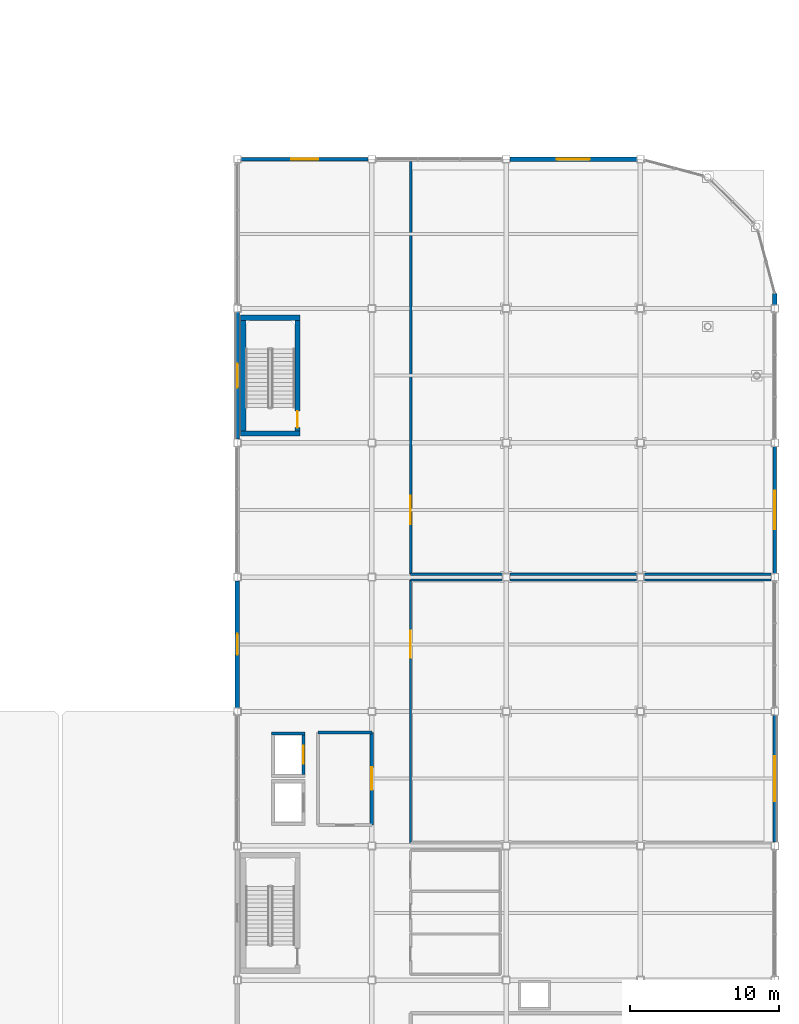
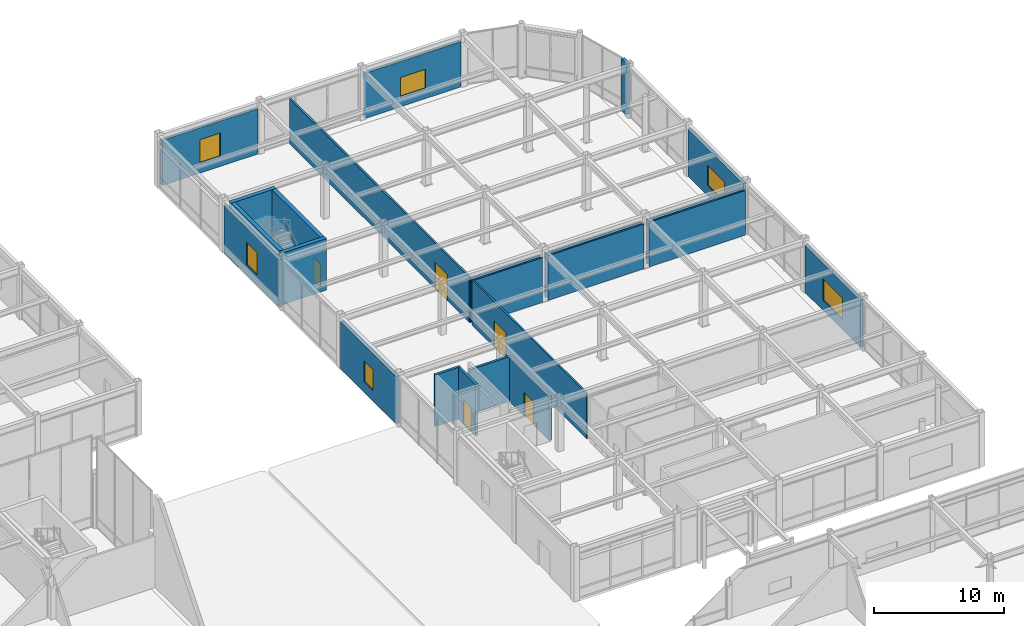
# One storey, part 93 of 123: 23 walls, 6 windows, 5 doors, 11 openings.
"""IFC4 building model written with IfcOpenShell, lengths in metres."""

from ifc_helpers import new_model, si_unit, direction, frame, frame_2d, origin, place, context, subcontext, project, spatial, rectangle, extrude, material, layer, layer_set, type_object, element, fill, save


model = new_model("IFC4")

# Units and contexts
model_context = context("Model", 3, precision=1e-05, world=origin(), true_north=direction((0.0, 1.0)))
body_context = subcontext(model_context, "Body", "Model", "MODEL_VIEW")
ifc_project = project(units=[si_unit("LENGTHUNIT", "METRE"), si_unit("AREAUNIT", "SQUARE_METRE"), si_unit("VOLUMEUNIT", "CUBIC_METRE"), si_unit("PLANEANGLEUNIT", "RADIAN"), si_unit("MASSUNIT", "GRAM", prefix="KILO")], contexts=[model_context])

# Site, building, storey
site_placement = place(None, origin())
site = spatial("IfcSite", under=ifc_project, at=site_placement, CompositionType="ELEMENT")
building_placement = place(site_placement, origin())
building = spatial("IfcBuilding", under=site, at=building_placement, Name="Suzunagisa Mobility Hub", CompositionType="ELEMENT")
storey_placement = place(building_placement, origin())
storey = spatial("IfcBuildingStorey", under=building, at=storey_placement, Name="L00", CompositionType="ELEMENT", Elevation=0.0)

# Wall, opening, window
ifc_material_1 = material(Name="Porcelain-Faced Insulated Concrete C30/37 Wall", Category="concrete")
ifc_layer_1 = layer(ifc_material_1, 0.260009765625)
ifc_layer_set_1 = layer_set([ifc_layer_1], Name="Porcelain-Faced Insulated Concrete C30/37 Wall")
wall_type_1 = type_object("IfcWallType", Name="Exterior Wall EW-03 260mm", PredefinedType="SOLIDWALL", material=ifc_layer_set_1)
wall_1_placement = place(storey_placement, frame((180.0, 62.25, 0.0), z_axis=(0.0, 0.0, 1.0), x_axis=(0.0, 1.0, 0.0)))
wall_1 = element("IfcWall", 1, at=wall_1_placement, inside=storey, type_object=wall_type_1, Name="L00 Exterior Facade Wall EW-350", PredefinedType="SOLIDWALL", context=body_context, shape_type="SweptSolid", body=[
    extrude(rectangle(XDim=8.5, YDim=0.260009765625, at=frame_2d((4.25, 0.0))), origin(), (0.0, 0.0, 1.0), 4.43994140625),
])
opening_1_placement = place(wall_1_placement, frame((2.75, 0.0, 0.949951171875)))
opening_1 = element("IfcOpeningElement", 2, at=opening_1_placement, cuts=wall_1, Name="Opening WN-03", PredefinedType="OPENING", context=body_context, shape_type="SweptSolid", body=[
    extrude(rectangle(XDim=3.0, YDim=2.0, at=frame_2d((1.5, 1.0))), frame((0.0, 0.14111328125, 0.0), z_axis=(0.0, -1.0, 0.0), x_axis=(1.0, 0.0, 0.0)), (0.0, 0.0, 1.0), 0.281982421875),
])
ifc_material_2 = material(Name="Thermally Broken Anodized Aluminum and Low-E Double Glazing", Category="aluminium")
window_type_1 = type_object("IfcWindowType", Name="Aluminum Window WN-03 3000x2000", PartitioningType="SINGLE_PANEL", PredefinedType="WINDOW", material=ifc_material_2)
window_1_placement = place(opening_1_placement, origin())
window_1 = element("IfcWindow", 3, at=window_1_placement, inside=storey, type_object=window_type_1, Name="L00 Scheduled Facade Window WN-108", OverallHeight=2.0, OverallWidth=3.0, PartitioningType="SINGLE_PANEL", PredefinedType="WINDOW", context=body_context, shape_type="SweptSolid", body=[
    extrude(rectangle(XDim=3.0, YDim=2.0, at=frame_2d((1.5, 1.0))), frame((0.0, 0.030029296875, 0.0), z_axis=(0.0, -1.0, 0.0), x_axis=(1.0, 0.0, 0.0)), (0.0, 0.0, 1.0), 0.06005859375),
])
fill(opening_1, window_1)

wall_2_placement = place(storey_placement, frame((152.75, 108.0, 0.0), z_axis=(0.0, 0.0, 1.0), x_axis=(-1.0, 0.0, 0.0)))
wall_2 = element("IfcWall", 4, at=wall_2_placement, inside=storey, type_object=wall_type_1, Name="L00 Exterior Facade Wall EW-354", PredefinedType="SOLIDWALL", context=body_context, shape_type="SweptSolid", body=[
    extrude(rectangle(XDim=8.5, YDim=0.260009765625, at=frame_2d((4.25, 0.0))), origin(), (0.0, 0.0, 1.0), 4.251953125),
])
opening_2_placement = place(wall_2_placement, frame((3.35009765625, 0.0, 0.949951171875)))
opening_2 = element("IfcOpeningElement", 5, at=opening_2_placement, cuts=wall_2, Name="Opening WN-13", PredefinedType="OPENING", context=body_context, shape_type="SweptSolid", body=[
    extrude(rectangle(XDim=1.800048828125, YDim=2.199951171875, at=frame_2d((0.89990234375, 1.10009765625))), frame((0.0, 0.14111328125, 0.0), z_axis=(0.0, -1.0, 0.0), x_axis=(1.0, 0.0, 0.0)), (0.0, 0.0, 1.0), 0.281982421875),
])
window_type_2 = type_object("IfcWindowType", Name="Aluminum Window WN-13 1800x2200", PartitioningType="SINGLE_PANEL", PredefinedType="WINDOW", material=ifc_material_2)
window_2_placement = place(opening_2_placement, origin())
window_2 = element("IfcWindow", 6, at=window_2_placement, inside=storey, type_object=window_type_2, Name="L00 Scheduled Facade Window WN-111", OverallHeight=2.199951171875, OverallWidth=1.800048828125, PartitioningType="SINGLE_PANEL", PredefinedType="WINDOW", context=body_context, shape_type="SweptSolid", body=[
    extrude(rectangle(XDim=1.800048828125, YDim=2.199951171875, at=frame_2d((0.89990234375, 1.10009765625))), frame((0.0, 0.030029296875, 0.0), z_axis=(0.0, -1.0, 0.0), x_axis=(1.0, 0.0, 0.0)), (0.0, 0.0, 1.0), 0.06005859375),
])
fill(opening_2, window_2)

ifc_material_3 = material(Name="Lightweight Insulated Autoclaved Concrete C30/37 Wall", Category="concrete")
ifc_layer_2 = layer(ifc_material_3, 0.239990234375)
ifc_layer_set_2 = layer_set([ifc_layer_2], Name="Lightweight Insulated Autoclaved Concrete C30/37 Wall")
wall_type_2 = type_object("IfcWallType", Name="Exterior Wall EW-04 240mm", PredefinedType="SOLIDWALL", material=ifc_layer_set_2)
wall_3_placement = place(storey_placement, frame((180.0, 80.25, 0.0), z_axis=(0.0, 0.0, 1.0), x_axis=(0.0, 1.0, 0.0)))
wall_3 = element("IfcWall", 7, at=wall_3_placement, inside=storey, type_object=wall_type_2, Name="L00 Exterior Facade Wall EW-351", PredefinedType="SOLIDWALL", context=body_context, shape_type="SweptSolid", body=[
    extrude(rectangle(XDim=8.5, YDim=0.239990234375, at=frame_2d((4.25, 0.0))), origin(), (0.0, 0.0, 1.0), 4.43994140625),
])
opening_3_placement = place(wall_3_placement, frame((2.949951171875, 0.0, 0.949951171875)))
opening_3 = element("IfcOpeningElement", 8, at=opening_3_placement, cuts=wall_3, Name="Opening WN-24", PredefinedType="OPENING", context=body_context, shape_type="SweptSolid", body=[
    extrude(rectangle(XDim=2.60009765625, YDim=1.89990234375, at=frame_2d((1.300048828125, 0.949951171875))), frame((0.0, 0.130859375, 0.0), z_axis=(0.0, -1.0, 0.0), x_axis=(1.0, 0.0, 0.0)), (0.0, 0.0, 1.0), 0.261962890625),
])
window_type_3 = type_object("IfcWindowType", Name="Aluminum Window WN-24 2600x1900", PartitioningType="SINGLE_PANEL", PredefinedType="WINDOW", material=ifc_material_2)
window_3_placement = place(opening_3_placement, origin())
window_3 = element("IfcWindow", 9, at=window_3_placement, inside=storey, type_object=window_type_3, Name="L00 Scheduled Facade Window WN-109", OverallHeight=1.89990234375, OverallWidth=2.60009765625, PartitioningType="SINGLE_PANEL", PredefinedType="WINDOW", context=body_context, shape_type="SweptSolid", body=[
    extrude(rectangle(XDim=2.60009765625, YDim=1.89990234375, at=frame_2d((1.300048828125, 0.949951171875))), frame((0.0, 0.030029296875, 0.0), z_axis=(0.0, -1.0, 0.0), x_axis=(1.0, 0.0, 0.0)), (0.0, 0.0, 1.0), 0.06005859375),
])
fill(opening_3, window_3)

wall_4_placement = place(storey_placement, frame((144.0, 97.75, 0.0), z_axis=(0.0, 0.0, 1.0), x_axis=(0.0, -1.0, 0.0)))
wall_4 = element("IfcWall", 10, at=wall_4_placement, inside=storey, type_object=wall_type_2, Name="L00 Exterior Facade Wall EW-355", PredefinedType="SOLIDWALL", context=body_context, shape_type="SweptSolid", body=[
    extrude(rectangle(XDim=8.5, YDim=0.239990234375, at=frame_2d((4.25, 0.0))), origin(), (0.0, 0.0, 1.0), 4.449951171875),
])
opening_4_placement = place(wall_4_placement, frame((3.449951171875, 0.0, 0.949951171875)))
opening_4 = element("IfcOpeningElement", 11, at=opening_4_placement, cuts=wall_4, Name="Opening WN-04", PredefinedType="OPENING", context=body_context, shape_type="SweptSolid", body=[
    extrude(rectangle(XDim=1.60009765625, YDim=2.10009765625, at=frame_2d((0.800048828125, 1.050048828125))), frame((0.0, 0.130859375, 0.0), z_axis=(0.0, -1.0, 0.0), x_axis=(1.0, 0.0, 0.0)), (0.0, 0.0, 1.0), 0.261962890625),
])
window_type_4 = type_object("IfcWindowType", Name="Aluminum Window WN-04 1600x2100", PartitioningType="SINGLE_PANEL", PredefinedType="WINDOW", material=ifc_material_2)
window_4_placement = place(opening_4_placement, origin())
window_4 = element("IfcWindow", 12, at=window_4_placement, inside=storey, type_object=window_type_4, Name="L00 Scheduled Facade Window WN-112", OverallHeight=2.10009765625, OverallWidth=1.60009765625, PartitioningType="SINGLE_PANEL", PredefinedType="WINDOW", context=body_context, shape_type="SweptSolid", body=[
    extrude(rectangle(XDim=1.60009765625, YDim=2.10009765625, at=frame_2d((0.800048828125, 1.050048828125))), frame((0.0, 0.030029296875, 0.0), z_axis=(0.0, -1.0, 0.0), x_axis=(1.0, 0.0, 0.0)), (0.0, 0.0, 1.0), 0.06005859375),
])
fill(opening_4, window_4)

ifc_layer_3 = layer(ifc_material_1, 0.280029296875)
ifc_layer_set_3 = layer_set([ifc_layer_3], Name="Porcelain-Faced Insulated Concrete C30/37 Wall")
wall_type_3 = type_object("IfcWallType", Name="Exterior Wall EW-08 280mm", PredefinedType="SOLIDWALL", material=ifc_layer_set_3)
wall_5_placement = place(storey_placement, frame((170.75, 108.0, 0.0), z_axis=(0.0, 0.0, 1.0), x_axis=(-1.0, 0.0, 0.0)))
wall_5 = element("IfcWall", 13, at=wall_5_placement, inside=storey, type_object=wall_type_3, Name="L00 Exterior Facade Wall EW-353", PredefinedType="SOLIDWALL", context=body_context, shape_type="SweptSolid", body=[
    extrude(rectangle(XDim=8.5, YDim=0.280029296875, at=frame_2d((4.25, 0.0))), origin(), (0.0, 0.0, 1.0), 4.251953125),
])
opening_5_placement = place(wall_5_placement, frame((3.14990234375, 0.0, 0.949951171875)))
opening_5 = element("IfcOpeningElement", 14, at=opening_5_placement, cuts=wall_5, Name="Opening WN-08", PredefinedType="OPENING", context=body_context, shape_type="SweptSolid", body=[
    extrude(rectangle(XDim=2.199951171875, YDim=1.800048828125, at=frame_2d((1.10009765625, 0.89990234375))), frame((0.0, 0.15087890625, 0.0), z_axis=(0.0, -1.0, 0.0), x_axis=(1.0, 0.0, 0.0)), (0.0, 0.0, 1.0), 0.302001953125),
])
window_type_5 = type_object("IfcWindowType", Name="Aluminum Window WN-08 2200x1800", PartitioningType="SINGLE_PANEL", PredefinedType="WINDOW", material=ifc_material_2)
window_5_placement = place(opening_5_placement, origin())
window_5 = element("IfcWindow", 15, at=window_5_placement, inside=storey, type_object=window_type_5, Name="L00 Scheduled Facade Window WN-110", OverallHeight=1.800048828125, OverallWidth=2.199951171875, PartitioningType="SINGLE_PANEL", PredefinedType="WINDOW", context=body_context, shape_type="SweptSolid", body=[
    extrude(rectangle(XDim=2.199951171875, YDim=1.800048828125, at=frame_2d((1.10009765625, 0.89990234375))), frame((0.0, 0.030029296875, 0.0), z_axis=(0.0, -1.0, 0.0), x_axis=(1.0, 0.0, 0.0)), (0.0, 0.0, 1.0), 0.06005859375),
])
fill(opening_5, window_5)

# Wall
ifc_material_4 = material(Name="Insulated Precast Concrete C35/45 Panel", Category="concrete")
ifc_layer_4 = layer(ifc_material_4, 0.300048828125)
ifc_layer_set_4 = layer_set([ifc_layer_4], Name="Insulated Precast Concrete C35/45 Panel")
wall_type_4 = type_object("IfcWallType", Name="Exterior Wall EW-09 300mm", PredefinedType="SOLIDWALL", material=ifc_layer_set_4)
wall_6_placement = place(storey_placement, frame((180.0, 98.25, 0.0), z_axis=(0.0, 0.0, 1.0), x_axis=(0.0, 1.0, 0.0)))
element("IfcWall", 16, at=wall_6_placement, inside=storey, type_object=wall_type_4, Name="L00 Exterior Facade Wall EW-352", PredefinedType="SOLIDWALL", context=body_context, shape_type="SweptSolid", body=[
    extrude(rectangle(XDim=0.75, YDim=0.300048828125, at=frame_2d((0.375, 0.0))), origin(), (0.0, 0.0, 1.0), 4.840087890625),
])

# Wall, opening, window
wall_7_placement = place(storey_placement, frame((144.0, 79.75, 0.0), z_axis=(0.0, 0.0, 1.0), x_axis=(0.0, -1.0, 0.0)))
wall_7 = element("IfcWall", 17, at=wall_7_placement, inside=storey, type_object=wall_type_4, Name="L00 Exterior Facade Wall EW-356", PredefinedType="SOLIDWALL", context=body_context, shape_type="SweptSolid", body=[
    extrude(rectangle(XDim=8.5, YDim=0.300048828125, at=frame_2d((4.25, 0.0))), origin(), (0.0, 0.0, 1.0), 4.43994140625),
])
opening_6_placement = place(wall_7_placement, frame((3.550048828125, 0.0, 0.949951171875)))
opening_6 = element("IfcOpeningElement", 18, at=opening_6_placement, cuts=wall_7, Name="Opening WN-25", PredefinedType="OPENING", context=body_context, shape_type="SweptSolid", body=[
    extrude(rectangle(XDim=1.39990234375, YDim=2.0, at=frame_2d((0.699951171875, 1.0))), frame((0.0, 0.1611328125, 0.0), z_axis=(0.0, -1.0, 0.0), x_axis=(1.0, 0.0, 0.0)), (0.0, 0.0, 1.0), 0.322021484375),
])
window_type_6 = type_object("IfcWindowType", Name="Aluminum Window WN-25 1400x2000", PartitioningType="SINGLE_PANEL", PredefinedType="WINDOW", material=ifc_material_2)
window_6_placement = place(opening_6_placement, origin())
window_6 = element("IfcWindow", 19, at=window_6_placement, inside=storey, type_object=window_type_6, Name="L00 Scheduled Facade Window WN-113", OverallHeight=2.0, OverallWidth=1.39990234375, PartitioningType="SINGLE_PANEL", PredefinedType="WINDOW", context=body_context, shape_type="SweptSolid", body=[
    extrude(rectangle(XDim=1.39990234375, YDim=2.0, at=frame_2d((0.699951171875, 1.0))), frame((0.0, 0.030029296875, 0.0), z_axis=(0.0, -1.0, 0.0), x_axis=(1.0, 0.0, 0.0)), (0.0, 0.0, 1.0), 0.06005859375),
])
fill(opening_6, window_6)

# Wall, opening, door
ifc_material_5 = material(Name="Fire-Rated Gypsum Stud Partition", Category="gypsum")
ifc_layer_5 = layer(ifc_material_5, 0.2099609375)
ifc_layer_set_5 = layer_set([ifc_layer_5], Name="Fire-Rated Gypsum Stud Partition")
wall_type_5 = type_object("IfcWallType", Name="Interior Wall IW-03 210mm", PredefinedType="PARTITIONING", material=ifc_layer_set_5)
wall_8_placement = place(storey_placement, frame((148.425048828125, 66.780029296875, 0.0), z_axis=(0.0, 0.0, 1.0), x_axis=(0.0, 1.0, 0.0)))
wall_8 = element("IfcWall", 20, at=wall_8_placement, inside=storey, type_object=wall_type_5, Name="L00 Lift LF-06 Shaft Front Wall", PredefinedType="PARTITIONING", context=body_context, shape_type="SweptSolid", body=[
    extrude(rectangle(XDim=2.639892578125, YDim=0.2099609375, at=frame_2d((1.31982421875, 0.0))), origin(), (0.0, 0.0, 1.0), 4.840087890625),
])
opening_7_placement = place(wall_8_placement, frame((0.719970703125, 0.0, 0.0)))
opening_7 = element("IfcOpeningElement", 21, at=opening_7_placement, cuts=wall_8, Name="Opening LD-03", PredefinedType="OPENING", context=body_context, shape_type="SweptSolid", body=[
    extrude(rectangle(XDim=1.199951171875, YDim=2.199951171875, at=frame_2d((0.60009765625, 1.10009765625))), frame((0.0, 0.115966796875, 0.0), z_axis=(0.0, -1.0, 0.0), x_axis=(1.0, 0.0, 0.0)), (0.0, 0.0, 1.0), 0.23193359375),
])
ifc_material_6 = material(Name="Brushed Stainless Steel SUS304", Category="metal")
door_type_1 = type_object("IfcDoorType", Name="Lift Landing Sliding Door LD-03 1200x2200", OperationType="SLIDING_TO_LEFT", PredefinedType="DOOR", material=ifc_material_6)
door_1_placement = place(opening_7_placement, origin())
door_1 = element("IfcDoor", 22, at=door_1_placement, inside=storey, type_object=door_type_1, Name="L00 Lift LF-06 Sliding Landing Door", OperationType="SLIDING_TO_RIGHT", OverallHeight=2.199951171875, OverallWidth=1.199951171875, PredefinedType="DOOR", context=body_context, shape_type="SweptSolid", body=[
    extrude(rectangle(XDim=1.199951171875, YDim=2.199951171875, at=frame_2d((0.60009765625, 1.10009765625))), frame((0.0, 0.02490234375, 0.0), z_axis=(0.0, -1.0, 0.0), x_axis=(1.0, 0.0, 0.0)), (0.0, 0.0, 1.0), 0.050048828125),
])
fill(opening_7, door_1)

# Walls
wall_9_placement = place(storey_placement, frame((146.27001953125, 69.52490234375, 0.0), z_axis=(0.0, 0.0, 1.0), x_axis=(1.0, 0.0, 0.0)))
element("IfcWall", 23, at=wall_9_placement, inside=storey, type_object=wall_type_5, Name="L00 Lift LF-06 Shaft North Wall", PredefinedType="PARTITIONING", context=body_context, shape_type="SweptSolid", body=[
    extrude(rectangle(XDim=2.260009765625, YDim=0.2099609375, at=frame_2d((1.1298828125, 0.0))), origin(), (0.0, 0.0, 1.0), 4.840087890625),
])
wall_10_placement = place(storey_placement, frame((149.39990234375, 69.60009765625, 0.0), z_axis=(0.0, 0.0, 1.0), x_axis=(1.0, 0.0, 0.0)))
element("IfcWall", 24, at=wall_10_placement, inside=storey, type_object=wall_type_5, Name="L00 Firefighting Lift Lobby L00 Partition PW-538", PredefinedType="PARTITIONING", context=body_context, shape_type="SweptSolid", body=[
    extrude(rectangle(XDim=3.60009765625, YDim=0.2099609375, at=frame_2d((1.800048828125, 0.0))), origin(), (0.0, 0.0, 1.0), 4.18994140625),
])

# Wall, opening, door
wall_11_placement = place(storey_placement, frame((153.0, 63.39990234375, 0.0), z_axis=(0.0, 0.0, 1.0), x_axis=(0.0, 1.0, 0.0)))
wall_11 = element("IfcWall", 25, at=wall_11_placement, inside=storey, type_object=wall_type_5, Name="L00 Firefighting Lift Lobby L00 Partition PW-540", PredefinedType="PARTITIONING", context=body_context, shape_type="SweptSolid", body=[
    extrude(rectangle(XDim=6.2001953125, YDim=0.2099609375, at=frame_2d((3.10009765625, 0.0))), origin(), (0.0, 0.0, 1.0), 4.18994140625),
])
opening_8_placement = place(wall_11_placement, frame((2.35009765625, 0.0, 0.0)))
opening_8 = element("IfcOpeningElement", 26, at=opening_8_placement, cuts=wall_11, Name="Opening DR-15", PredefinedType="OPENING", context=body_context, shape_type="SweptSolid", body=[
    extrude(rectangle(XDim=1.5, YDim=2.25, at=frame_2d((0.75, 1.125))), frame((0.0, 0.115966796875, 0.0), z_axis=(0.0, -1.0, 0.0), x_axis=(1.0, 0.0, 0.0)), (0.0, 0.0, 1.0), 0.23193359375),
])
ifc_material_7 = material(Name="Smoke-Control Double Fire Door")
door_type_2 = type_object("IfcDoorType", Name="Interior Door DR-15 1500x2250", OperationType="SINGLE_SWING_LEFT", PredefinedType="DOOR", material=ifc_material_7)
door_2_placement = place(opening_8_placement, origin())
door_2 = element("IfcDoor", 27, at=door_2_placement, inside=storey, type_object=door_type_2, Name="L00 Firefighting Lift Lobby L00 Door DR-124", OperationType="SINGLE_SWING_LEFT", OverallHeight=2.25, OverallWidth=1.5, PredefinedType="DOOR", context=body_context, shape_type="SweptSolid", body=[
    extrude(rectangle(XDim=1.5, YDim=2.25, at=frame_2d((0.75, 1.125))), frame((0.0, 0.02490234375, 0.0), z_axis=(0.0, -1.0, 0.0), x_axis=(1.0, 0.0, 0.0)), (0.0, 0.0, 1.0), 0.050048828125),
])
fill(opening_8, door_2)

# Walls
ifc_material_8 = material(Name="Concrete C35/45", Category="concrete")
ifc_layer_6 = layer(ifc_material_8, 0.35009765625)
ifc_layer_set_6 = layer_set([ifc_layer_6], Name="Concrete C35/45")
wall_type_6 = type_object("IfcWallType", Name="Interior Wall IW-04 350mm", PredefinedType="SHEAR", material=ifc_layer_set_6)
for number, where, z_axis, x_axis, name in (
    (28, (144.2099609375, 89.625, 0.0), (0.0, 0.0, 1.0), (1.0, 0.0, 0.0), "L00 Core C5B Shear Wall SW-465"),
    (29, (144.2099609375, 97.375, 0.0), (0.0, 0.0, 1.0), (1.0, 0.0, 0.0), "L00 Core C5B Shear Wall SW-466"),
):
    element("IfcWall", number, at=place(storey_placement, frame(where, z_axis=z_axis, x_axis=x_axis)), inside=storey, type_object=wall_type_6, Name=name, PredefinedType="SHEAR", context=body_context, shape_type="SweptSolid", body=[
        extrude(rectangle(XDim=3.97998046875, YDim=0.35009765625, at=frame_2d((1.989990234375, 0.0))), origin(), (0.0, 0.0, 1.0), 4.840087890625),
    ])
wall_12_placement = place(storey_placement, frame((144.385009765625, 89.800048828125, 0.0), z_axis=(0.0, 0.0, 1.0), x_axis=(0.0, 1.0, 0.0)))
element("IfcWall", 30, at=wall_12_placement, inside=storey, type_object=wall_type_6, Name="L00 Core C5B Shear Wall SW-467", PredefinedType="SHEAR", context=body_context, shape_type="SweptSolid", body=[
    extrude(rectangle(XDim=7.39990234375, YDim=0.35009765625, at=frame_2d((3.699951171875, 0.0))), origin(), (0.0, 0.0, 1.0), 4.840087890625),
])

# Wall, opening, door
wall_13_placement = place(storey_placement, frame((148.014892578125, 89.800048828125, 0.0), z_axis=(0.0, 0.0, 1.0), x_axis=(0.0, 1.0, 0.0)))
wall_13 = element("IfcWall", 31, at=wall_13_placement, inside=storey, type_object=wall_type_6, Name="L00 Core C5B Shear Wall SW-468", PredefinedType="SHEAR", context=body_context, shape_type="SweptSolid", body=[
    extrude(rectangle(XDim=7.39990234375, YDim=0.35009765625, at=frame_2d((3.699951171875, 0.0))), origin(), (0.0, 0.0, 1.0), 4.840087890625),
])
opening_9_placement = place(wall_13_placement, frame((0.219970703125, 0.0, 0.0)))
opening_9 = element("IfcOpeningElement", 32, at=opening_9_placement, cuts=wall_13, Name="Opening DR-05", PredefinedType="OPENING", context=body_context, shape_type="SweptSolid", body=[
    extrude(rectangle(XDim=1.10009765625, YDim=2.14990234375, at=frame_2d((0.550048828125, 1.074951171875))), frame((0.0, 0.18603515625, 0.0), z_axis=(0.0, -1.0, 0.0), x_axis=(1.0, 0.0, 0.0)), (0.0, 0.0, 1.0), 0.3720703125),
])
ifc_material_9 = material(Name="Fire-Rated Hollow Steel Stair Door", Category="steel")
door_type_3 = type_object("IfcDoorType", Name="Interior Door DR-05 1100x2150", OperationType="SINGLE_SWING_LEFT", PredefinedType="DOOR", material=ifc_material_9)
door_3_placement = place(opening_9_placement, origin())
door_3 = element("IfcDoor", 33, at=door_3_placement, inside=storey, type_object=door_type_3, Name="L00 Core C5B Escape Stair Fire Door SD-114", OperationType="SINGLE_SWING_LEFT", OverallHeight=2.14990234375, OverallWidth=1.10009765625, PredefinedType="DOOR", context=body_context, shape_type="SweptSolid", body=[
    extrude(rectangle(XDim=1.10009765625, YDim=2.14990234375, at=frame_2d((0.550048828125, 1.074951171875))), frame((0.0, 0.02490234375, 0.0), z_axis=(0.0, -1.0, 0.0), x_axis=(1.0, 0.0, 0.0)), (0.0, 0.0, 1.0), 0.050048828125),
])
fill(opening_9, door_3)

# Walls
ifc_layer_7 = layer(ifc_material_5, 0.169921875)
ifc_layer_set_7 = layer_set([ifc_layer_7], Name="Fire-Rated Gypsum Stud Partition")
wall_type_7 = type_object("IfcWallType", Name="Interior Wall IW-05 170mm", PredefinedType="PARTITIONING", material=ifc_layer_set_7)
wall_14_placement = place(storey_placement, frame((155.60009765625, 80.199951171875, 0.0), z_axis=(0.0, 0.0, 1.0), x_axis=(1.0, 0.0, 0.0)))
element("IfcWall", 34, at=wall_14_placement, inside=storey, type_object=wall_type_7, Name="L00 Electric Bus Battery Diagnostics and Loading Bay Partition PW-759", PredefinedType="PARTITIONING", context=body_context, shape_type="SweptSolid", body=[
    extrude(rectangle(XDim=6.14990234375, YDim=0.169921875, at=frame_2d((3.074951171875, 0.0))), origin(), (0.0, 0.0, 1.0), 4.18994140625),
])
for number, where, z_axis, x_axis, name in (
    (35, (162.25, 80.199951171875, 0.0), (0.0, 0.0, 1.0), (1.0, 0.0, 0.0), "L00 Electric Bus Battery Diagnostics and Loading Bay Partition PW-760"),
    (36, (171.25, 80.199951171875, 0.0), (0.0, 0.0, 1.0), (1.0, 0.0, 0.0), "L00 Electric Bus Battery Diagnostics and Loading Bay Partition PW-761"),
):
    element("IfcWall", number, at=place(storey_placement, frame(where, z_axis=z_axis, x_axis=x_axis)), inside=storey, type_object=wall_type_7, Name=name, PredefinedType="PARTITIONING", context=body_context, shape_type="SweptSolid", body=[
        extrude(rectangle(XDim=8.5, YDim=0.169921875, at=frame_2d((4.25, 0.0))), origin(), (0.0, 0.0, 1.0), 4.18994140625),
    ])

# Wall, opening, door
wall_15_placement = place(storey_placement, frame((155.60009765625, 80.199951171875, 0.0), z_axis=(0.0, 0.0, 1.0), x_axis=(0.0, 1.0, 0.0)))
wall_15 = element("IfcWall", 37, at=wall_15_placement, inside=storey, type_object=wall_type_7, Name="L00 Electric Bus Battery Diagnostics and Loading Bay Partition PW-762", PredefinedType="PARTITIONING", context=body_context, shape_type="SweptSolid", body=[
    extrude(rectangle(XDim=27.635009765625, YDim=0.169921875, at=frame_2d((13.8173828125, 0.0))), origin(), (0.0, 0.0, 1.0), 4.251953125),
])
opening_10_placement = place(wall_15_placement, frame((3.340087890625, 0.0, 0.0)))
opening_10 = element("IfcOpeningElement", 38, at=opening_10_placement, cuts=wall_15, Name="Opening DR-18", PredefinedType="OPENING", context=body_context, shape_type="SweptSolid", body=[
    extrude(rectangle(XDim=1.919921875, YDim=2.449951171875, at=frame_2d((0.9599609375, 1.22509765625))), frame((0.0, 0.095947265625, 0.0), z_axis=(0.0, -1.0, 0.0), x_axis=(1.0, 0.0, 0.0)), (0.0, 0.0, 1.0), 0.19189453125),
])
ifc_material_10 = material(Name="Anodized Aluminum Double Concourse Door", Category="aluminium")
door_type_4 = type_object("IfcDoorType", Name="Interior Door DR-18 1920x2450", OperationType="SINGLE_SWING_LEFT", PredefinedType="DOOR", material=ifc_material_10)
door_4_placement = place(opening_10_placement, origin())
door_4 = element("IfcDoor", 39, at=door_4_placement, inside=storey, type_object=door_type_4, Name="L00 Electric Bus Battery Diagnostics and Loading Bay Door DR-191", OperationType="SINGLE_SWING_RIGHT", OverallHeight=2.449951171875, OverallWidth=1.919921875, PredefinedType="DOOR", context=body_context, shape_type="SweptSolid", body=[
    extrude(rectangle(XDim=1.919921875, YDim=2.449951171875, at=frame_2d((0.9599609375, 1.22509765625))), frame((0.0, 0.02490234375, 0.0), z_axis=(0.0, -1.0, 0.0), x_axis=(1.0, 0.0, 0.0)), (0.0, 0.0, 1.0), 0.050048828125),
])
fill(opening_10, door_4)

# Walls
ifc_material_11 = material(Name="Acoustic Steel-Stud Gypsum Partition", Category="steel")
ifc_layer_8 = layer(ifc_material_11, 0.14501953125)
ifc_layer_set_8 = layer_set([ifc_layer_8], Name="Acoustic Steel-Stud Gypsum Partition")
wall_type_8 = type_object("IfcWallType", Name="Interior Wall IW-06 145mm", PredefinedType="PARTITIONING", material=ifc_layer_set_8)
wall_16_placement = place(storey_placement, frame((155.60009765625, 79.800048828125, 0.0), z_axis=(0.0, 0.0, 1.0), x_axis=(1.0, 0.0, 0.0)))
element("IfcWall", 40, at=wall_16_placement, inside=storey, type_object=wall_type_8, Name="L00 Public Mobility Pass and Customer Service Centre Partition PW-755", PredefinedType="PARTITIONING", context=body_context, shape_type="SweptSolid", body=[
    extrude(rectangle(XDim=6.14990234375, YDim=0.14501953125, at=frame_2d((3.074951171875, 0.0))), origin(), (0.0, 0.0, 1.0), 4.18994140625),
])
for number, where, z_axis, x_axis, name in (
    (41, (162.25, 79.800048828125, 0.0), (0.0, 0.0, 1.0), (1.0, 0.0, 0.0), "L00 Public Mobility Pass and Customer Service Centre Partition PW-756"),
    (42, (171.25, 79.800048828125, 0.0), (0.0, 0.0, 1.0), (1.0, 0.0, 0.0), "L00 Public Mobility Pass and Customer Service Centre Partition PW-757"),
):
    element("IfcWall", number, at=place(storey_placement, frame(where, z_axis=z_axis, x_axis=x_axis)), inside=storey, type_object=wall_type_8, Name=name, PredefinedType="PARTITIONING", context=body_context, shape_type="SweptSolid", body=[
        extrude(rectangle(XDim=8.5, YDim=0.14501953125, at=frame_2d((4.25, 0.0))), origin(), (0.0, 0.0, 1.0), 4.18994140625),
    ])

# Wall, opening, door
wall_17_placement = place(storey_placement, frame((155.60009765625, 62.199951171875, 0.0), z_axis=(0.0, 0.0, 1.0), x_axis=(0.0, 1.0, 0.0)))
wall_17 = element("IfcWall", 43, at=wall_17_placement, inside=storey, type_object=wall_type_8, Name="L00 Public Mobility Pass and Customer Service Centre Partition PW-758", PredefinedType="PARTITIONING", context=body_context, shape_type="SweptSolid", body=[
    extrude(rectangle(XDim=17.60009765625, YDim=0.14501953125, at=frame_2d((8.800048828125, 0.0))), origin(), (0.0, 0.0, 1.0), 4.251953125),
])
opening_11_placement = place(wall_17_placement, frame((12.389892578125, 0.0, 0.0)))
opening_11 = element("IfcOpeningElement", 44, at=opening_11_placement, cuts=wall_17, Name="Opening DR-14", PredefinedType="OPENING", context=body_context, shape_type="SweptSolid", body=[
    extrude(rectangle(XDim=1.820068359375, YDim=2.449951171875, at=frame_2d((0.91015625, 1.22509765625))), frame((0.0, 0.08349609375, 0.0), z_axis=(0.0, -1.0, 0.0), x_axis=(1.0, 0.0, 0.0)), (0.0, 0.0, 1.0), 0.1669921875),
])
door_type_5 = type_object("IfcDoorType", Name="Interior Door DR-14 1820x2450", OperationType="SINGLE_SWING_LEFT", PredefinedType="DOOR", material=ifc_material_10)
door_5_placement = place(opening_11_placement, origin())
door_5 = element("IfcDoor", 45, at=door_5_placement, inside=storey, type_object=door_type_5, Name="L00 Public Mobility Pass and Customer Service Centre Door DR-190", OperationType="SINGLE_SWING_LEFT", OverallHeight=2.449951171875, OverallWidth=1.820068359375, PredefinedType="DOOR", context=body_context, shape_type="SweptSolid", body=[
    extrude(rectangle(XDim=1.820068359375, YDim=2.449951171875, at=frame_2d((0.91015625, 1.22509765625))), frame((0.0, 0.02490234375, 0.0), z_axis=(0.0, -1.0, 0.0), x_axis=(1.0, 0.0, 0.0)), (0.0, 0.0, 1.0), 0.050048828125),
])
fill(opening_11, door_5)

save(model, "model.ifc")
